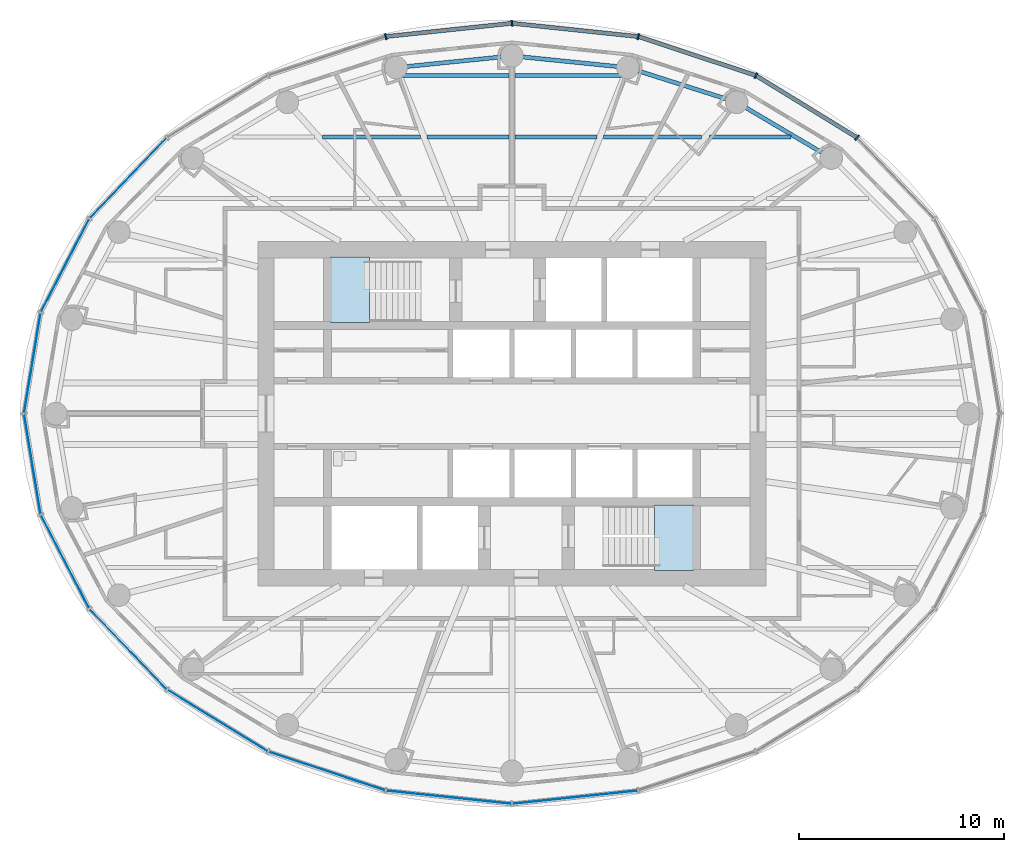
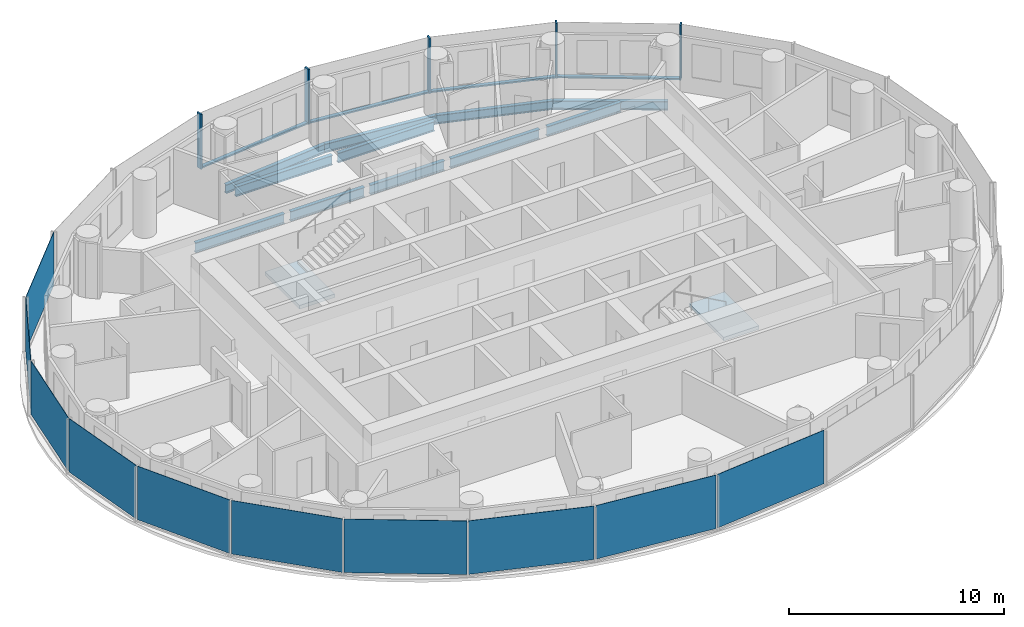
# One storey, part 4 of 16: 11 beams, 10 plates, 9 members, 2 slabs, 6 elements without a shape of their own.
"""IFC4 building model written with IfcOpenShell, lengths in metres."""

from ifc_helpers import new_model, si_unit, direction, frame, origin, origin_2d, place, context, subcontext, project, spatial, polyline, rectangle, i_section, outline, extrude, material, layer, layer_set, material_profile, profile_set, type_object, element, aggregate, save


model = new_model("IFC4")

# Units and contexts
model_context = context("Model", 3, precision=1e-05, world=origin(), true_north=direction((0.0, 1.0)))
body_context = subcontext(model_context, "Body", "Model", "MODEL_VIEW")
ifc_project = project(units=[si_unit("LENGTHUNIT", "METRE"), si_unit("AREAUNIT", "SQUARE_METRE"), si_unit("VOLUMEUNIT", "CUBIC_METRE"), si_unit("PLANEANGLEUNIT", "RADIAN"), si_unit("MASSUNIT", "GRAM", prefix="KILO")], contexts=[model_context])

# Site, building, storey
site_placement = place(None, origin())
site = spatial("IfcSite", under=ifc_project, at=site_placement, CompositionType="ELEMENT")
building_placement = place(site_placement, origin())
building = spatial("IfcBuilding", under=site, at=building_placement, Name="Hankou Lantern Tower", CompositionType="ELEMENT")
storey_placement = place(building_placement, frame((0.0, 0.0, 173.10009765625)))
storey = spatial("IfcBuildingStorey", under=building, at=storey_placement, Name="L46", CompositionType="ELEMENT", Elevation=173.10009765625)

# Beams
ifc_material_1 = material(Name="Steel Q355B", Category="steel")
ifc_material_profile_1 = material_profile(ifc_material_1, i_section(OverallWidth=0.199951171875, OverallDepth=0.5, WebThickness=0.010009765625, FlangeThickness=0.01611328125, FilletRadius=0.012939453125, at=origin_2d()), Name="HN500x200x10x16")
ifc_profile_set_1 = profile_set([ifc_material_profile_1], Name="Steel Q355B")
beam_type_1 = type_object("IfcBeamType", Name="EB5 RING BEAM HN500x200x10x16", PredefinedType="SPANDREL", material=ifc_profile_set_1)
beam_1_placement = place(storey_placement, frame((15.576171875, 12.4609375, -0.43017578125), z_axis=(-0.861135888339, 0.508374843806, 0.0), x_axis=(-0.508374843806, -0.861135888339, 0.0)))
element("IfcBeam", 1, at=beam_1_placement, inside=storey, type_object=beam_type_1, Name="Ring beam R04-R05 L46", PredefinedType="SPANDREL", context=body_context, shape_type="SweptSolid", body=[
    extrude(i_section(OverallWidth=0.199951171875, OverallDepth=0.5, WebThickness=0.010009765625, FlangeThickness=0.01611328125, FilletRadius=0.012939453125, at=origin_2d()), origin(), (0.0, 0.0, 1.0), 5.36083984375),
])
beam_2_placement = place(storey_placement, frame((10.959716796875, 15.186279296875, -0.43017578125), z_axis=(-0.952790404271, 0.30362879562, 0.0), x_axis=(-0.30362879562, -0.952790404271, 0.0)))
element("IfcBeam", 2, at=beam_2_placement, inside=storey, type_object=beam_type_1, Name="Ring beam R05-R06 L46", PredefinedType="SPANDREL", context=body_context, shape_type="SweptSolid", body=[
    extrude(i_section(OverallWidth=0.199951171875, OverallDepth=0.5, WebThickness=0.010009765625, FlangeThickness=0.01611328125, FilletRadius=0.012939453125, at=origin_2d()), origin(), (0.0, 0.0, 1.0), 5.56982421875),
])
for number, where, z_axis, x_axis, name in (
    (3, (5.65283203125, 16.87744140625, -0.43017578125), (-0.9949104636, 0.100762936734, 0.0), (-0.100762936734, -0.9949104636, 0.0), "Ring beam R06-R07 L46"),
    (4, (0.0, 17.449951171875, -0.43017578125), (-0.9949104636, -0.100762936734, 0.0), (0.100762936734, -0.9949104636, 0.0), "Ring beam R07-R08 L46"),
):
    element("IfcBeam", number, at=place(storey_placement, frame(where, z_axis=z_axis, x_axis=x_axis)), inside=storey, type_object=beam_type_1, Name=name, PredefinedType="SPANDREL", context=body_context, shape_type="SweptSolid", body=[
        extrude(i_section(OverallWidth=0.199951171875, OverallDepth=0.5, WebThickness=0.010009765625, FlangeThickness=0.01611328125, FilletRadius=0.012939453125, at=origin_2d()), origin(), (0.0, 0.0, 1.0), 5.681640625),
    ])

# Curtain wall, members
ifc_material_2 = material(Name="Glass, dark grey tinted laminated", Category="glass")
curtain_wall_type = type_object("IfcCurtainWallType", Name="CWC OUTER SKIN HIGH-RISE", PredefinedType="USERDEFINED", material=ifc_material_2)
curtain_wall_1_placement = place(storey_placement, origin())
curtain_wall_1 = element("IfcCurtainWall", 5, at=curtain_wall_1_placement, inside=storey, type_object=curtain_wall_type, Name="CWC L46 OS1", ObjectType="OUTER SKIN HIGH-RISE", PredefinedType="USERDEFINED")
ifc_material_3 = material(Name="Aluminium, black anodised", Category="aluminium")
ifc_material_profile_2 = material_profile(ifc_material_3, rectangle(XDim=0.080078125, YDim=0.300048828125, at=origin_2d()), Name="MU1 80X300")
ifc_profile_set_2 = profile_set([ifc_material_profile_2], Name="Aluminium, black anodised")
member_type_1 = type_object("IfcMemberType", Name="MU1 OUTER SKIN MULLION 80X300", PredefinedType="MULLION", material=ifc_profile_set_2)
member_1_placement = place(storey_placement, frame((16.8291015625, 13.46337890625, 0.0), z_axis=(0.0, 0.0, 1.0), x_axis=(-0.780868809444, 0.624695047553, 0.0)))
member_1 = element("IfcMember", 6, at=member_1_placement, type_object=member_type_1, Name="CWC mullion 4", PredefinedType="MULLION", context=body_context, shape_type="SweptSolid", body=[
    extrude(rectangle(XDim=0.080078125, YDim=0.300048828125, at=origin_2d()), origin(), (0.0, 0.0, 1.0), 3.119873046875),
])
member_2_placement = place(storey_placement, frame((11.89990234375, 16.489013671875, 0.0), z_axis=(0.0, 0.0, 1.0), x_axis=(-0.907841299004, 0.419313934686, 0.0)))
member_2 = element("IfcMember", 7, at=member_2_placement, type_object=member_type_1, Name="CWC mullion 5", PredefinedType="MULLION", context=body_context, shape_type="SweptSolid", body=[
    extrude(rectangle(XDim=0.080078125, YDim=0.300048828125, at=origin_2d()), origin(), (0.0, 0.0, 1.0), 3.119873046875),
])
member_3_placement = place(storey_placement, frame((6.159912109375, 18.39111328125, 0.0), z_axis=(0.0, 0.0, 1.0), x_axis=(-0.977787659625, 0.209597931016, 0.0)))
member_3 = element("IfcMember", 8, at=member_3_placement, type_object=member_type_1, Name="CWC mullion 6", PredefinedType="MULLION", context=body_context, shape_type="SweptSolid", body=[
    extrude(rectangle(XDim=0.080078125, YDim=0.300048828125, at=origin_2d()), origin(), (0.0, 0.0, 1.0), 3.119873046875),
])

curtain_wall_2_placement = place(storey_placement, origin())
curtain_wall_2 = element("IfcCurtainWall", 9, at=curtain_wall_2_placement, inside=storey, type_object=curtain_wall_type, Name="CWC L46 OS2", ObjectType="OUTER SKIN HIGH-RISE", PredefinedType="USERDEFINED")
member_4_placement = place(storey_placement, frame((0.0, 19.0400390625, 0.0), z_axis=(0.0, 0.0, 1.0), x_axis=(-0.994499359107, -0.104742659579, 0.0)))
member_4 = element("IfcMember", 10, at=member_4_placement, type_object=member_type_1, Name="CWC mullion 1", PredefinedType="MULLION", context=body_context, shape_type="SweptSolid", body=[
    extrude(rectangle(XDim=0.080078125, YDim=0.300048828125, at=origin_2d()), origin(), (0.0, 0.0, 1.0), 3.119873046875),
])
member_5_placement = place(storey_placement, frame((-6.159912109375, 18.39111328125, 0.0), z_axis=(0.0, 0.0, 1.0), x_axis=(-0.977787659625, -0.209597931016, 0.0)))
member_5 = element("IfcMember", 11, at=member_5_placement, type_object=member_type_1, Name="CWC mullion 2", PredefinedType="MULLION", context=body_context, shape_type="SweptSolid", body=[
    extrude(rectangle(XDim=0.080078125, YDim=0.300048828125, at=origin_2d()), origin(), (0.0, 0.0, 1.0), 3.119873046875),
])

# Beams
ifc_material_4 = material(Name="Steel Q355B", Category="steel")
ifc_material_profile_3 = material_profile(ifc_material_4, i_section(OverallWidth=0.199951171875, OverallDepth=0.550048828125, WebThickness=0.010009765625, FlangeThickness=0.01611328125, FilletRadius=0.012939453125, at=origin_2d()), Name="HN550x200x10x16")
ifc_profile_set_3 = profile_set([ifc_material_profile_3], Name="Steel Q355B")
beam_type_2 = type_object("IfcBeamType", Name="SB6 SECONDARY BEAM HN550x200x10x16", PredefinedType="JOIST", material=ifc_profile_set_3)
beam_3_placement = place(storey_placement, frame((-9.23974609375, 13.5, -0.455078125), z_axis=(1.0, 0.0, 0.0), x_axis=(0.0, 1.0, 0.0)))
element("IfcBeam", 12, at=beam_3_placement, inside=storey, type_object=beam_type_2, Name="Floor joist J036 L46", PredefinedType="JOIST", context=body_context, shape_type="SweptSolid", body=[
    extrude(i_section(OverallWidth=0.199951171875, OverallDepth=0.550048828125, WebThickness=0.010009765625, FlangeThickness=0.01611328125, FilletRadius=0.012939453125, at=origin_2d()), origin(), (0.0, 0.0, 1.0), 4.780517578125),
])
for number, where, z_axis, x_axis, name in (
    (13, (-4.135986328125, 13.5, -0.455078125), (1.0, 0.0, 0.0), (0.0, 1.0, 0.0), "Floor joist J037 L46"),
    (14, (0.14990234375, 13.5, -0.455078125), (1.0, 0.0, 0.0), (0.0, 1.0, 0.0), "Floor joist J038 L46"),
):
    element("IfcBeam", number, at=place(storey_placement, frame(where, z_axis=z_axis, x_axis=x_axis)), inside=storey, type_object=beam_type_2, Name=name, PredefinedType="JOIST", context=body_context, shape_type="SweptSolid", body=[
        extrude(i_section(OverallWidth=0.199951171875, OverallDepth=0.550048828125, WebThickness=0.010009765625, FlangeThickness=0.01611328125, FilletRadius=0.012939453125, at=origin_2d()), origin(), (0.0, 0.0, 1.0), 3.986083984375),
    ])
beam_4_placement = place(storey_placement, frame((4.459228515625, 13.5, -0.455078125), z_axis=(1.0, 0.0, 0.0), x_axis=(0.0, 1.0, 0.0)))
element("IfcBeam", 15, at=beam_4_placement, inside=storey, type_object=beam_type_2, Name="Floor joist J039 L46", PredefinedType="JOIST", context=body_context, shape_type="SweptSolid", body=[
    extrude(i_section(OverallWidth=0.199951171875, OverallDepth=0.550048828125, WebThickness=0.010009765625, FlangeThickness=0.01611328125, FilletRadius=0.012939453125, at=origin_2d()), origin(), (0.0, 0.0, 1.0), 4.780517578125),
])
beam_5_placement = place(storey_placement, frame((9.643310546875, 13.5, -0.455078125), z_axis=(1.0, 0.0, 0.0), x_axis=(0.0, 1.0, 0.0)))
element("IfcBeam", 16, at=beam_5_placement, inside=storey, type_object=beam_type_2, Name="Floor joist J040 L46", PredefinedType="JOIST", context=body_context, shape_type="SweptSolid", body=[
    extrude(i_section(OverallWidth=0.199951171875, OverallDepth=0.550048828125, WebThickness=0.010009765625, FlangeThickness=0.01611328125, FilletRadius=0.012939453125, at=origin_2d()), origin(), (0.0, 0.0, 1.0), 3.97607421875),
])
for number, where, z_axis, x_axis, name in (
    (17, (-5.33984375, 16.5, -0.455078125), (1.0, 0.0, 0.0), (0.0, 1.0, 0.0), "Floor joist J041 L46"),
    (18, (0.14990234375, 16.5, -0.455078125), (1.0, 0.0, 0.0), (0.0, 1.0, 0.0), "Floor joist J042 L46"),
):
    element("IfcBeam", number, at=place(storey_placement, frame(where, z_axis=z_axis, x_axis=x_axis)), inside=storey, type_object=beam_type_2, Name=name, PredefinedType="JOIST", context=body_context, shape_type="SweptSolid", body=[
        extrude(i_section(OverallWidth=0.199951171875, OverallDepth=0.550048828125, WebThickness=0.010009765625, FlangeThickness=0.01611328125, FilletRadius=0.012939453125, at=origin_2d()), origin(), (0.0, 0.0, 1.0), 5.18994140625),
    ])

# Member
ifc_material_5 = material(Name="Aluminium, black anodised", Category="aluminium")
ifc_material_profile_4 = material_profile(ifc_material_5, rectangle(XDim=0.199951171875, YDim=0.080078125, at=origin_2d()), Name="TR1 200X80")
ifc_profile_set_4 = profile_set([ifc_material_profile_4], Name="Aluminium, black anodised")
member_type_2 = type_object("IfcMemberType", Name="TR1 OUTER SKIN TRANSOM 200X80", PredefinedType="USERDEFINED", material=ifc_profile_set_4)
member_6_placement = place(storey_placement, frame((16.795166015625, 13.484130859375, 0.039794921875), z_axis=(-0.852229482357, 0.523168146394, 0.0), x_axis=(-0.523168146394, -0.852229482357, 0.0)))
member_6 = element("IfcMember", 19, at=member_6_placement, type_object=member_type_2, Name="CWC transom 4", ObjectType="TRANSOM", PredefinedType="USERDEFINED", context=body_context, shape_type="SweptSolid", body=[
    extrude(rectangle(XDim=0.199951171875, YDim=0.080078125, at=origin_2d()), origin(), (0.0, 0.0, 1.0), 5.703857421875),
])

member_7_placement = place(storey_placement, frame((11.862060546875, 16.501708984375, 0.039794921875), z_axis=(-0.949242327551, 0.314545709849, 0.0), x_axis=(-0.314545709849, -0.949242327551, 0.0)))
member_7 = element("IfcMember", 20, at=member_7_placement, type_object=member_type_2, Name="CWC transom 5", ObjectType="TRANSOM", PredefinedType="USERDEFINED", context=body_context, shape_type="SweptSolid", body=[
    extrude(rectangle(XDim=0.199951171875, YDim=0.080078125, at=origin_2d()), origin(), (0.0, 0.0, 1.0), 5.96728515625),
])

member_8_placement = place(storey_placement, frame((6.1201171875, 18.3955078125, 0.039794921875), z_axis=(-0.994499543631, 0.104740907567, 0.0), x_axis=(-0.104740907567, -0.994499543631, 0.0)))
member_8 = element("IfcMember", 21, at=member_8_placement, type_object=member_type_2, Name="CWC transom 6", ObjectType="TRANSOM", PredefinedType="USERDEFINED", context=body_context, shape_type="SweptSolid", body=[
    extrude(rectangle(XDim=0.199951171875, YDim=0.080078125, at=origin_2d()), origin(), (0.0, 0.0, 1.0), 6.114013671875),
])

aggregate(curtain_wall_1, [member_1, member_2, member_3, member_6, member_7, member_8])

member_9_placement = place(storey_placement, frame((-0.039794921875, 19.035888671875, 0.039794921875), z_axis=(-0.994499543631, -0.104740907567, 0.0), x_axis=(0.104740907567, -0.994499543631, 0.0)))
member_9 = element("IfcMember", 22, at=member_9_placement, type_object=member_type_2, Name="CWC transom 1", ObjectType="TRANSOM", PredefinedType="USERDEFINED", context=body_context, shape_type="SweptSolid", body=[
    extrude(rectangle(XDim=0.199951171875, YDim=0.080078125, at=origin_2d()), origin(), (0.0, 0.0, 1.0), 6.114013671875),
])

# Plate
ifc_material_6 = material(Name="Glass, dark grey tinted laminated", Category="glass")
ifc_layer_1 = layer(ifc_material_6, 0.02392578125)
ifc_layer_set_1 = layer_set([ifc_layer_1], Name="Glass, dark grey tinted laminated")
plate_type = type_object("IfcPlateType", Name="PN1 OUTER SKIN GLASS PANEL", PredefinedType="CURTAIN_PANEL", material=ifc_layer_set_1)
plate_1_placement = place(storey_placement, frame((-18.72021484375, 11.49169921875, 0.079833984375), z_axis=(0.0, 0.0, 1.0), x_axis=(-0.692215809936, -0.721690565599, 0.0)))
plate_1 = element("IfcPlate", 23, at=plate_1_placement, type_object=plate_type, Name="CWC glass panel 4", PredefinedType="CURTAIN_PANEL", context=body_context, shape_type="SweptSolid", body=[
    extrude(rectangle(XDim=5.384033203125, YDim=0.02392578125, at=origin_2d()), origin(), (0.0, 0.0, 1.0), 3.0400390625),
])

plate_2_placement = place(storey_placement, frame((-21.80029296875, 7.223876953125, 0.079833984375), z_axis=(0.0, 0.0, 1.0), x_axis=(-0.459791091957, -0.888027112062, 0.0)))
plate_2 = element("IfcPlate", 24, at=plate_2_placement, type_object=plate_type, Name="CWC glass panel 5", PredefinedType="CURTAIN_PANEL", context=body_context, shape_type="SweptSolid", body=[
    extrude(rectangle(XDim=5.091064453125, YDim=0.02392578125, at=origin_2d()), origin(), (0.0, 0.0, 1.0), 3.0400390625),
])

plate_3_placement = place(storey_placement, frame((-23.39453125, 2.4638671875, 0.079833984375), z_axis=(0.0, 0.0, 1.0), x_axis=(-0.162381515188, -0.986728049427, 0.0)))
plate_3 = element("IfcPlate", 25, at=plate_3_placement, type_object=plate_type, Name="CWC glass panel 6", PredefinedType="CURTAIN_PANEL", context=body_context, shape_type="SweptSolid", body=[
    extrude(rectangle(XDim=4.914306640625, YDim=0.02392578125, at=origin_2d()), origin(), (0.0, 0.0, 1.0), 3.0400390625),
])

aggregate(curtain_wall_2, [member_4, member_5, member_9, plate_1, plate_2, plate_3])

# Curtain wall, plates
curtain_wall_3_placement = place(storey_placement, origin())
curtain_wall_3 = element("IfcCurtainWall", 26, at=curtain_wall_3_placement, inside=storey, type_object=curtain_wall_type, Name="CWC L46 OS3", ObjectType="OUTER SKIN HIGH-RISE", PredefinedType="USERDEFINED")
plate_4_placement = place(storey_placement, frame((-23.39453125, -2.4638671875, 0.079833984375), z_axis=(0.0, 0.0, 1.0), x_axis=(0.162381515188, -0.986728049427, 0.0)))
plate_4 = element("IfcPlate", 27, at=plate_4_placement, type_object=plate_type, Name="CWC glass panel 1", PredefinedType="CURTAIN_PANEL", context=body_context, shape_type="SweptSolid", body=[
    extrude(rectangle(XDim=4.914306640625, YDim=0.02392578125, at=origin_2d()), origin(), (0.0, 0.0, 1.0), 3.0400390625),
])
plate_5_placement = place(storey_placement, frame((-21.80029296875, -7.223876953125, 0.079833984375), z_axis=(0.0, 0.0, 1.0), x_axis=(0.459791091957, -0.888027112062, 0.0)))
plate_5 = element("IfcPlate", 28, at=plate_5_placement, type_object=plate_type, Name="CWC glass panel 2", PredefinedType="CURTAIN_PANEL", context=body_context, shape_type="SweptSolid", body=[
    extrude(rectangle(XDim=5.091064453125, YDim=0.02392578125, at=origin_2d()), origin(), (0.0, 0.0, 1.0), 3.0400390625),
])
plate_6_placement = place(storey_placement, frame((-18.72021484375, -11.49169921875, 0.079833984375), z_axis=(0.0, 0.0, 1.0), x_axis=(0.692215809936, -0.721690565599, 0.0)))
plate_6 = element("IfcPlate", 29, at=plate_6_placement, type_object=plate_type, Name="CWC glass panel 3", PredefinedType="CURTAIN_PANEL", context=body_context, shape_type="SweptSolid", body=[
    extrude(rectangle(XDim=5.384033203125, YDim=0.02392578125, at=origin_2d()), origin(), (0.0, 0.0, 1.0), 3.0400390625),
])
plate_7_placement = place(storey_placement, frame((-14.364501953125, -14.976318359375, 0.079833984375), z_axis=(0.0, 0.0, 1.0), x_axis=(0.852237151549, -0.523155653242, 0.0)))
plate_7 = element("IfcPlate", 30, at=plate_7_placement, type_object=plate_type, Name="CWC glass panel 4", PredefinedType="CURTAIN_PANEL", context=body_context, shape_type="SweptSolid", body=[
    extrude(rectangle(XDim=5.703857421875, YDim=0.02392578125, at=origin_2d()), origin(), (0.0, 0.0, 1.0), 3.0400390625),
])
plate_8_placement = place(storey_placement, frame((-9.030029296875, -17.440185546875, 0.079833984375), z_axis=(0.0, 0.0, 1.0), x_axis=(0.949240677293, -0.31455068999, 0.0)))
plate_8 = element("IfcPlate", 31, at=plate_8_placement, type_object=plate_type, Name="CWC glass panel 5", PredefinedType="CURTAIN_PANEL", context=body_context, shape_type="SweptSolid", body=[
    extrude(rectangle(XDim=5.967041015625, YDim=0.02392578125, at=origin_2d()), origin(), (0.0, 0.0, 1.0), 3.0400390625),
])
plate_9_placement = place(storey_placement, frame((-3.079833984375, -18.715576171875, 0.079833984375), z_axis=(0.0, 0.0, 1.0), x_axis=(0.994499359107, -0.104742659579, 0.0)))
plate_9 = element("IfcPlate", 32, at=plate_9_placement, type_object=plate_type, Name="CWC glass panel 6", PredefinedType="CURTAIN_PANEL", context=body_context, shape_type="SweptSolid", body=[
    extrude(rectangle(XDim=6.114013671875, YDim=0.02392578125, at=origin_2d()), origin(), (0.0, 0.0, 1.0), 3.0400390625),
])
aggregate(curtain_wall_3, [plate_4, plate_5, plate_6, plate_7, plate_8, plate_9])

# Curtain wall, plate
curtain_wall_4_placement = place(storey_placement, origin())
curtain_wall_4 = element("IfcCurtainWall", 33, at=curtain_wall_4_placement, inside=storey, type_object=curtain_wall_type, Name="CWC L46 OS4", ObjectType="OUTER SKIN HIGH-RISE", PredefinedType="USERDEFINED")
plate_10_placement = place(storey_placement, frame((3.079833984375, -18.715576171875, 0.079833984375), z_axis=(0.0, 0.0, 1.0), x_axis=(0.994499359107, 0.104742659579, 0.0)))
plate_10 = element("IfcPlate", 34, at=plate_10_placement, type_object=plate_type, Name="CWC glass panel 1", PredefinedType="CURTAIN_PANEL", context=body_context, shape_type="SweptSolid", body=[
    extrude(rectangle(XDim=6.114013671875, YDim=0.02392578125, at=origin_2d()), origin(), (0.0, 0.0, 1.0), 3.0400390625),
])
aggregate(curtain_wall_4, [plate_10])

# Stair, slab
ifc_material_7 = material(Name="Concrete C40", Category="concrete")
stair_type = type_object("IfcStairType", Name="ST33 CORE STAIR 3300 RISE", PredefinedType="HALF_TURN_STAIR", material=ifc_material_7)
stair_1_placement = place(storey_placement, origin())
stair_1 = element("IfcStair", 35, at=stair_1_placement, inside=storey, type_object=stair_type, Name="Stair STA L46", PredefinedType="HALF_TURN_STAIR")
ifc_material_8 = material(Name="Concrete C40", Category="concrete")
ifc_layer_2 = layer(ifc_material_8, 0.199951171875)
ifc_layer_set_2 = layer_set([ifc_layer_2], Name="Concrete C40")
slab_type = type_object("IfcSlabType", Name="SL1 STAIR LANDING 200", PredefinedType="LANDING", material=ifc_layer_set_2)
slab_1_placement = place(storey_placement, frame((0.0, 0.0, 1.371337890625)))
slab_1 = element("IfcSlab", 36, at=slab_1_placement, type_object=slab_type, Name="STA landing 1", PredefinedType="LANDING", context=body_context, shape_type="SweptSolid", body=[
    extrude(outline(polyline([(-8.85009765625, 4.449951171875), (-6.949951171875, 4.449951171875), (-6.949951171875, 7.64990234375), (-8.85009765625, 7.64990234375), (-8.85009765625, 4.449951171875)])), origin(), (0.0, 0.0, 1.0), 0.199951171875),
])
aggregate(stair_1, [slab_1])

stair_2_placement = place(storey_placement, origin())
stair_2 = element("IfcStair", 37, at=stair_2_placement, inside=storey, type_object=stair_type, Name="Stair STB L46", PredefinedType="HALF_TURN_STAIR")
slab_2_placement = place(storey_placement, frame((0.0, 0.0, 1.371337890625)))
slab_2 = element("IfcSlab", 38, at=slab_2_placement, type_object=slab_type, Name="STB landing 1", PredefinedType="LANDING", context=body_context, shape_type="SweptSolid", body=[
    extrude(outline(polyline([(8.85009765625, -4.449951171875), (6.949951171875, -4.449951171875), (6.949951171875, -7.64990234375), (8.85009765625, -7.64990234375), (8.85009765625, -4.449951171875)])), origin(), (0.0, 0.0, 1.0), 0.199951171875),
])
aggregate(stair_2, [slab_2])

save(model, "model.ifc")
